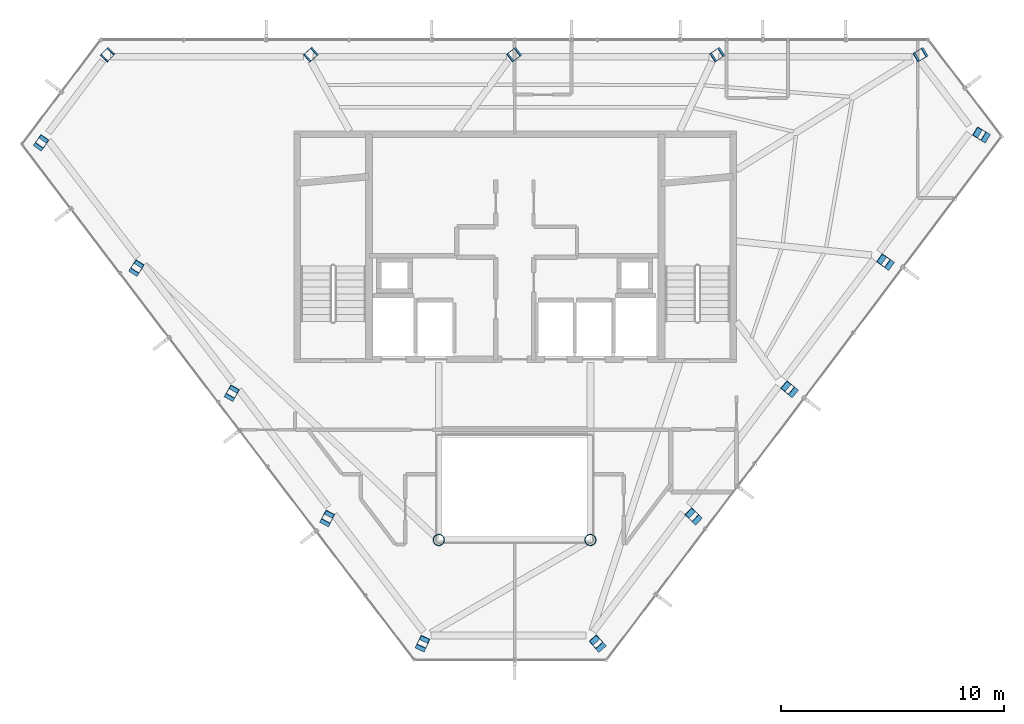
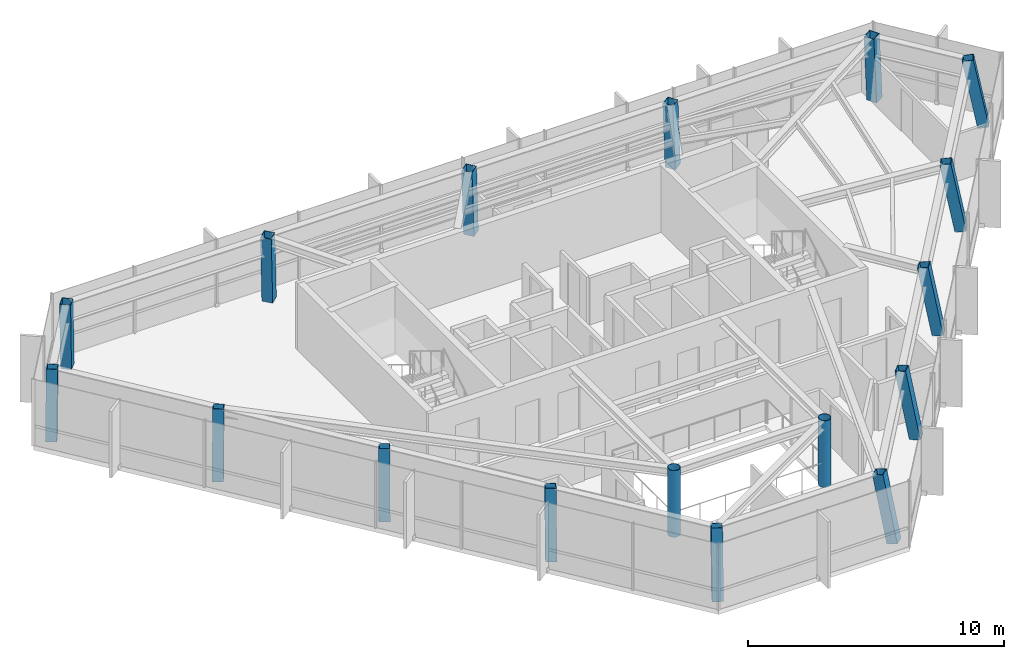
# One storey, part 1 of 21: 17 columns.
"""IFC4 building model written with IfcOpenShell, lengths in metres."""

from ifc_helpers import new_model, si_unit, direction, frame, origin, origin_2d, place, context, subcontext, project, spatial, hollow_rectangle, hollow_circle, extrude, material, material_profile, profile_set, type_object, element, save


model = new_model("IFC4")

# Units and contexts
model_context = context("Model", 3, precision=1e-05, world=origin(), true_north=direction((0.0, 1.0)))
body_context = subcontext(model_context, "Body", "Model", "MODEL_VIEW")
ifc_project = project(units=[si_unit("LENGTHUNIT", "METRE"), si_unit("AREAUNIT", "SQUARE_METRE"), si_unit("VOLUMEUNIT", "CUBIC_METRE"), si_unit("PLANEANGLEUNIT", "RADIAN"), si_unit("MASSUNIT", "GRAM", prefix="KILO")], contexts=[model_context])

# Site, building, storey
site_placement = place(None, origin())
site = spatial("IfcSite", under=ifc_project, at=site_placement, CompositionType="ELEMENT")
building_placement = place(site_placement, origin())
building = spatial("IfcBuilding", under=site, at=building_placement, Name="Zarrinselat Tower", CompositionType="ELEMENT")
storey_placement = place(building_placement, frame((0.0, 0.0, 285.60009765625)))
storey = spatial("IfcBuildingStorey", under=building, at=storey_placement, Name="L73", CompositionType="ELEMENT", Elevation=285.60009765625)

# Columns
ifc_material_1 = material(Name="Steel S355J2", Category="steel")
ifc_material_profile_1 = material_profile(ifc_material_1, hollow_circle(Radius=0.25390625, WallThickness=0.02001953125, at=origin_2d()), Name="CHS 508x20")
ifc_profile_set_1 = profile_set([ifc_material_profile_1], Name="Steel S355J2")
column_type_1 = type_object("IfcColumnType", Name="COL-CHS508", PredefinedType="COLUMN", material=ifc_profile_set_1)
for number, where, z_axis, x_axis, name in (
    (1, (35.0, 25.199951171875, 0.0), (0.0, 0.0, 1.0), (1.0, 0.0, 0.0), "L73 Atrium Corner Column 1"),
    (2, (41.800048828125, 25.199951171875, 0.0), (0.0, 0.0, 1.0), (1.0, 0.0, 0.0), "L73 Atrium Corner Column 2"),
):
    element("IfcColumn", number, at=place(storey_placement, frame(where, z_axis=z_axis, x_axis=x_axis)), inside=storey, type_object=column_type_1, Name=name, PredefinedType="COLUMN", context=body_context, shape_type="SweptSolid", body=[
        extrude(hollow_circle(Radius=0.25390625, WallThickness=0.02001953125, at=origin_2d()), origin(), (0.0, 0.0, 1.0), 3.179931640625),
    ])
ifc_material_2 = material(Name="Steel S355J2", Category="steel")
ifc_material_profile_2 = material_profile(ifc_material_2, hollow_rectangle(XDim=0.449951171875, YDim=0.449951171875, WallThickness=0.02197265625, at=origin_2d()), Name="SHS 450x450x22")
ifc_profile_set_2 = profile_set([ifc_material_profile_2], Name="Steel S355J2")
column_type_2 = type_object("IfcColumnType", Name="COL-SHS450", PredefinedType="COLUMN", material=ifc_profile_set_2)
column_1_placement = place(storey_placement, frame((56.63330078125, 46.9833984375, 0.0), z_axis=(-0.062026602014, -0.036603352793, 0.997403075595), x_axis=(0.508227729214, -0.861222721053, 0.0)))
element("IfcColumn", 3, at=column_1_placement, inside=storey, type_object=column_type_2, Name="L73 Framed-Tube Column T01", PredefinedType="COLUMN", context=body_context, shape_type="SweptSolid", body=[
    extrude(hollow_rectangle(XDim=0.449951171875, YDim=0.449951171875, WallThickness=0.02197265625, at=origin_2d()), origin(), (0.0, 0.0, 1.0), 3.188232421875),
])
column_2_placement = place(storey_placement, frame((47.5166015625, 46.9833984375, 0.0), z_axis=(-0.055233403773, -0.036617984749, 0.997801781067), x_axis=(0.552564232298, -0.833470316919, 0.0)))
element("IfcColumn", 4, at=column_2_placement, inside=storey, type_object=column_type_2, Name="L73 Framed-Tube Column T02", PredefinedType="COLUMN", context=body_context, shape_type="SweptSolid", body=[
    extrude(hollow_rectangle(XDim=0.449951171875, YDim=0.449951171875, WallThickness=0.02197265625, at=origin_2d()), origin(), (0.0, 0.0, 1.0), 3.18701171875),
])
column_3_placement = place(storey_placement, frame((38.400146484375, 46.9833984375, 0.0), z_axis=(-0.04858543316, -0.036630657808, 0.998147108693), x_axis=(0.602013203522, -0.798486131868, 0.0)))
element("IfcColumn", 5, at=column_3_placement, inside=storey, type_object=column_type_2, Name="L73 Framed-Tube Column T03", PredefinedType="COLUMN", context=body_context, shape_type="SweptSolid", body=[
    extrude(hollow_rectangle(XDim=0.449951171875, YDim=0.449951171875, WallThickness=0.02197265625, at=origin_2d()), origin(), (0.0, 0.0, 1.0), 3.185791015625),
])
column_4_placement = place(storey_placement, frame((29.283447265625, 46.9833984375, 0.0), z_axis=(-0.041777954794, -0.036641949343, 0.998454791186), x_axis=(0.659383108358, -0.751807100533, 0.0)))
element("IfcColumn", 6, at=column_4_placement, inside=storey, type_object=column_type_2, Name="L73 Framed-Tube Column T04", PredefinedType="COLUMN", context=body_context, shape_type="SweptSolid", body=[
    extrude(hollow_rectangle(XDim=0.449951171875, YDim=0.449951171875, WallThickness=0.02197265625, at=origin_2d()), origin(), (0.0, 0.0, 1.0), 3.184814453125),
])
column_5_placement = place(storey_placement, frame((20.166748046875, 46.9833984375, 0.0), z_axis=(-0.035041235995, -0.036651445964, 0.998713564186), x_axis=(0.722806038256, -0.691050961262, 0.0)))
element("IfcColumn", 7, at=column_5_placement, inside=storey, type_object=column_type_2, Name="L73 Framed-Tube Column T05", PredefinedType="COLUMN", context=body_context, shape_type="SweptSolid", body=[
    extrude(hollow_rectangle(XDim=0.449951171875, YDim=0.449951171875, WallThickness=0.02197265625, at=origin_2d()), origin(), (0.0, 0.0, 1.0), 3.18408203125),
])
column_6_placement = place(storey_placement, frame((17.119384765625, 42.94580078125, 0.0), z_axis=(0.075351363704, 0.107318608912, 0.991365163887), x_axis=(-0.818413024526, 0.574630421476, 0.0)))
element("IfcColumn", 8, at=column_6_placement, inside=storey, type_object=column_type_2, Name="L73 Framed-Tube Column T06", PredefinedType="COLUMN", context=body_context, shape_type="SweptSolid", body=[
    extrude(hollow_rectangle(XDim=0.449951171875, YDim=0.449951171875, WallThickness=0.02197265625, at=origin_2d()), origin(), (0.0, 0.0, 1.0), 3.20751953125),
])
column_7_placement = place(storey_placement, frame((21.3974609375, 37.32666015625, 0.0), z_axis=(0.072941050264, 0.115078007351, 0.99067484848), x_axis=(-0.844625560126, 0.53535750969, 0.0)))
element("IfcColumn", 9, at=column_7_placement, inside=storey, type_object=column_type_2, Name="L73 Framed-Tube Column T07", PredefinedType="COLUMN", context=body_context, shape_type="SweptSolid", body=[
    extrude(hollow_rectangle(XDim=0.449951171875, YDim=0.449951171875, WallThickness=0.02197265625, at=origin_2d()), origin(), (0.0, 0.0, 1.0), 3.2099609375),
])
column_8_placement = place(storey_placement, frame((25.675537109375, 31.70751953125, 0.0), z_axis=(0.070528752812, 0.122893311743, 0.98991056614), x_axis=(-0.867317421321, 0.497755452681, 0.0)))
element("IfcColumn", 10, at=column_8_placement, inside=storey, type_object=column_type_2, Name="L73 Framed-Tube Column T08", PredefinedType="COLUMN", context=body_context, shape_type="SweptSolid", body=[
    extrude(hollow_rectangle(XDim=0.449951171875, YDim=0.449951171875, WallThickness=0.02197265625, at=origin_2d()), origin(), (0.0, 0.0, 1.0), 3.21240234375),
])
column_9_placement = place(storey_placement, frame((29.953857421875, 26.08837890625, 0.0), z_axis=(0.068040678419, 0.130613802323, 0.989095799568), x_axis=(-0.886878873175, 0.462002017654, 0.0)))
element("IfcColumn", 11, at=column_9_placement, inside=storey, type_object=column_type_2, Name="L73 Framed-Tube Column T09", PredefinedType="COLUMN", context=body_context, shape_type="SweptSolid", body=[
    extrude(hollow_rectangle(XDim=0.449951171875, YDim=0.449951171875, WallThickness=0.02197265625, at=origin_2d()), origin(), (0.0, 0.0, 1.0), 3.215087890625),
])
column_10_placement = place(storey_placement, frame((34.23193359375, 20.468994140625, 0.0), z_axis=(0.065627205963, 0.138386154539, 0.988201569554), x_axis=(-0.903546102523, 0.428490887436, 0.0)))
element("IfcColumn", 12, at=column_10_placement, inside=storey, type_object=column_type_2, Name="L73 Framed-Tube Column T10", PredefinedType="COLUMN", context=body_context, shape_type="SweptSolid", body=[
    extrude(hollow_rectangle(XDim=0.449951171875, YDim=0.449951171875, WallThickness=0.02197265625, at=origin_2d()), origin(), (0.0, 0.0, 1.0), 3.218017578125),
])
for number, where, z_axis, x_axis, name in (
    (13, (42.198974609375, 20.468994140625, 0.0), (-0.12158129697, 0.137656291541, 0.982989691516), (-0.749513987969, -0.661988505821, 0.0), "L73 Framed-Tube Column T11"),
    (14, (46.5078125, 26.177734375, 0.0), (-0.131621634648, 0.127923549729, 0.983011348214), (-0.696960948714, -0.717109082335, 0.0), "L73 Framed-Tube Column T12"),
):
    element("IfcColumn", number, at=place(storey_placement, frame(where, z_axis=z_axis, x_axis=x_axis)), inside=storey, type_object=column_type_2, Name=name, PredefinedType="COLUMN", context=body_context, shape_type="SweptSolid", body=[
        extrude(hollow_rectangle(XDim=0.449951171875, YDim=0.449951171875, WallThickness=0.02197265625, at=origin_2d()), origin(), (0.0, 0.0, 1.0), 3.23486328125),
    ])
column_11_placement = place(storey_placement, frame((50.81689453125, 31.886474609375, 0.0), z_axis=(-0.141634721058, 0.118167273935, 0.982840832059), x_axis=(-0.640626909827, -0.767852305073, 0.0)))
element("IfcColumn", 15, at=column_11_placement, inside=storey, type_object=column_type_2, Name="L73 Framed-Tube Column T13", PredefinedType="COLUMN", context=body_context, shape_type="SweptSolid", body=[
    extrude(hollow_rectangle(XDim=0.449951171875, YDim=0.449951171875, WallThickness=0.02197265625, at=origin_2d()), origin(), (0.0, 0.0, 1.0), 3.2353515625),
])
column_12_placement = place(storey_placement, frame((55.125732421875, 37.59521484375, 0.0), z_axis=(-0.151542256634, 0.10831990071, 0.982497706646), x_axis=(-0.581506303856, -0.813541897247, 0.0)))
element("IfcColumn", 16, at=column_12_placement, inside=storey, type_object=column_type_2, Name="L73 Framed-Tube Column T14", PredefinedType="COLUMN", context=body_context, shape_type="SweptSolid", body=[
    extrude(hollow_rectangle(XDim=0.449951171875, YDim=0.449951171875, WallThickness=0.02197265625, at=origin_2d()), origin(), (0.0, 0.0, 1.0), 3.236572265625),
])
column_13_placement = place(storey_placement, frame((59.4345703125, 43.303955078125, 0.0), z_axis=(-0.161482423706, 0.098608314756, 0.981936773471), x_axis=(-0.521159878983, -0.853459067875, 0.0)))
element("IfcColumn", 17, at=column_13_placement, inside=storey, type_object=column_type_2, Name="L73 Framed-Tube Column T15", PredefinedType="COLUMN", context=body_context, shape_type="SweptSolid", body=[
    extrude(hollow_rectangle(XDim=0.449951171875, YDim=0.449951171875, WallThickness=0.02197265625, at=origin_2d()), origin(), (0.0, 0.0, 1.0), 3.238525390625),
])

save(model, "model.ifc")
